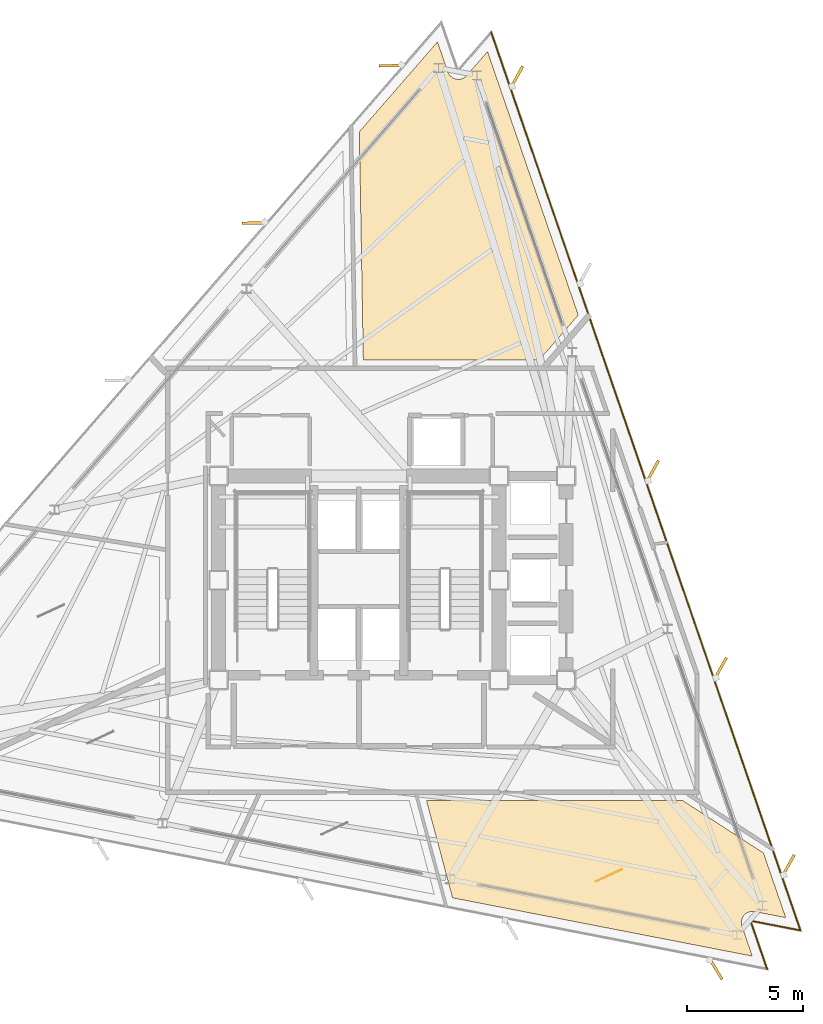
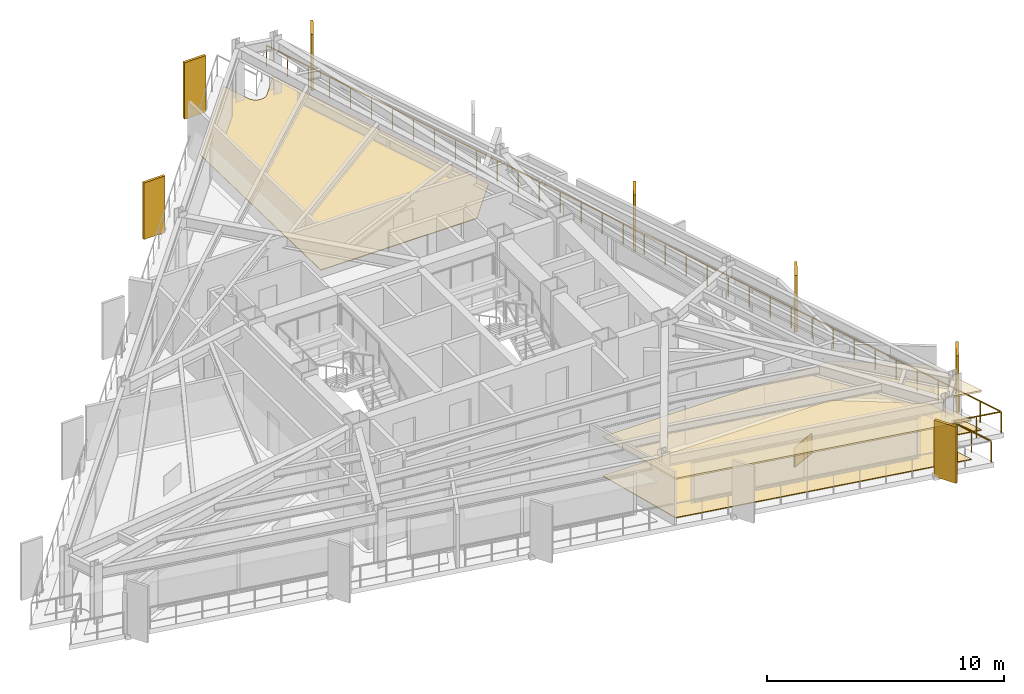
# One storey, part 13 of 13: 7 shading devices, 4 coverings, 1 railing.
"""IFC4 building model written with IfcOpenShell, lengths in metres."""

import ifcopenshell
import ifcopenshell.guid

model = None  # the IFC model being written
_history = None  # IfcOwnerHistory: only IFC2X3 demands one
_inside = {}  # id of a spatial element -> (the spatial element, [elements in it])
_under = {}  # id of a project, library or spatial element -> (it, [spatial elements below it])
_declared = {}  # id of a project -> (the project, [libraries it declares])
_typed = {}  # id of a type object -> (the type object, [elements of that type])
_made_of = {}  # id of a material, layer set ... -> (it, [elements and type objects made of it])


def new_model(schema):
    """Start an empty IFC model of exactly this schema.

    Asked for "IFC4X3", IfcOpenShell would pick the latest addendum, in which some entities
    have other attributes; the version numbers below select the first issue.
    IFC2X3 requires an IfcOwnerHistory on every rooted entity: one is made here for all.
    """
    global model, _history
    if schema == "IFC4X3":
        model = ifcopenshell.file(schema_version=(4, 3, 0, 0))
    else:
        model = ifcopenshell.file(schema=schema)
    _inside.clear()
    _under.clear()
    _declared.clear()
    _typed.clear()
    _made_of.clear()
    _history = None
    if model.schema == "IFC2X3":
        org = make("IfcOrganization", Name="unknown")
        user = make(
            "IfcPersonAndOrganization",
            ThePerson=make("IfcPerson", FamilyName="unknown"),
            TheOrganization=org,
        )
        app = make(
            "IfcApplication",
            ApplicationDeveloper=org,
            Version="unknown",
            ApplicationFullName="unknown",
            ApplicationIdentifier="unknown",
        )
        _history = make(
            "IfcOwnerHistory",
            OwningUser=user,
            OwningApplication=app,
            ChangeAction="ADDED",
            CreationDate=0,
        )
    return model


def make(cls, **values):
    """One entity of the class cls with the attributes given. An attribute that is None is left unset."""
    return model.create_entity(
        cls, **{name: value for name, value in values.items() if value is not None}
    )


def rooted(cls, **values):
    """An entity with a GlobalId (a new one), such as an element, a storey or a relation."""
    return make(cls, GlobalId=ifcopenshell.guid.new(), OwnerHistory=_history, **values)


def si_unit(unit_type, name, prefix=None):
    """IfcSIUnit, for example si_unit("LENGTHUNIT", "METRE", prefix="MILLI")."""
    return make("IfcSIUnit", UnitType=unit_type, Prefix=prefix, Name=name)


def assignment(units):
    """IfcUnitAssignment: the units of a project."""
    return None if units is None else make("IfcUnitAssignment", Units=units)


def point(xyz):
    """IfcCartesianPoint."""
    return None if xyz is None else make("IfcCartesianPoint", Coordinates=xyz)


def direction(xyz):
    """IfcDirection."""
    return None if xyz is None else make("IfcDirection", DirectionRatios=xyz)


def frame(location, z_axis=None, x_axis=None):
    """IfcAxis2Placement3D, a coordinate frame: its origin and axes. An axis left out is left unset."""
    return make(
        "IfcAxis2Placement3D",
        Location=point(location),
        Axis=direction(z_axis),
        RefDirection=direction(x_axis),
    )


def frame_2d(location, x_axis=None):
    """IfcAxis2Placement2D, a coordinate frame in the plane: its origin and x axis."""
    return make(
        "IfcAxis2Placement2D", Location=point(location), RefDirection=direction(x_axis)
    )


def origin():
    """The frame at (0, 0, 0) with its axes left unset."""
    return frame((0.0, 0.0, 0.0))


def origin_2d():
    """The frame at (0, 0) in the plane with its x axis left unset."""
    return frame_2d((0.0, 0.0))


def place(relative_to, where):
    """IfcLocalPlacement: puts the frame where relative to a parent placement (None: the world)."""
    return make(
        "IfcLocalPlacement", PlacementRelTo=relative_to, RelativePlacement=where
    )


def context(
    kind, dimensions, precision=None, world=None, true_north=None, identifier=None
):
    """IfcGeometricRepresentationContext, for example the 3D "Model" context."""
    return make(
        "IfcGeometricRepresentationContext",
        ContextIdentifier=identifier,
        ContextType=kind,
        CoordinateSpaceDimension=dimensions,
        Precision=precision,
        WorldCoordinateSystem=world,
        TrueNorth=true_north,
    )


def subcontext(parent, identifier, kind, view, scale=None):
    """IfcGeometricRepresentationSubContext, for example "Body" below "Model"."""
    return make(
        "IfcGeometricRepresentationSubContext",
        ContextIdentifier=identifier,
        ContextType=kind,
        ParentContext=parent,
        TargetScale=scale,
        TargetView=view,
    )


def project(units=None, contexts=None):
    """IfcProject with its units and contexts."""
    return rooted(
        "IfcProject",
        Name="project",
        RepresentationContexts=contexts,
        UnitsInContext=assignment(units),
    )


def spatial(cls, under=None, at=None, **own):
    """A site, building, storey or space (cls), placed at a placement, below another one or the project."""
    s = rooted(cls, ObjectPlacement=at, **own)
    if under is not None:
        _under.setdefault(under.id(), (under, []))[1].append(s)
    return s


def polyline(points):
    """IfcPolyline through the points."""
    return make("IfcPolyline", Points=[point(p) for p in points])


def profile(cls, at=None, kind="AREA", **sizes):
    """A parametric profile (cls). Its sizes go by their IFC names, for example OverallWidth=200.0."""
    return make(cls, ProfileType=kind, Position=at, **sizes)


def rectangle(**sizes):
    """IfcRectangleProfileDef."""
    return profile("IfcRectangleProfileDef", **sizes)


def outline(outer, holes=None, kind="AREA"):
    """IfcArbitraryClosedProfileDef: a profile drawn as a closed curve; with holes, ...WithVoids."""
    if holes is None:
        return make("IfcArbitraryClosedProfileDef", ProfileType=kind, OuterCurve=outer)
    return make(
        "IfcArbitraryProfileDefWithVoids",
        ProfileType=kind,
        OuterCurve=outer,
        InnerCurves=holes,
    )


def extrude(swept, where, along, depth):
    """IfcExtrudedAreaSolid: the profile swept, set in the frame where, extruded along a direction by depth."""
    return make(
        "IfcExtrudedAreaSolid",
        SweptArea=swept,
        Position=where,
        ExtrudedDirection=direction(along),
        Depth=depth,
    )


def shape(context_of_items, identifier, shape_type, items):
    """IfcShapeRepresentation: the items that make up one representation, for example the "Body"."""
    return make(
        "IfcShapeRepresentation",
        ContextOfItems=context_of_items,
        RepresentationIdentifier=identifier,
        RepresentationType=shape_type,
        Items=items,
    )


def material(Name=None, Category=None):
    """IfcMaterial."""
    return make("IfcMaterial", Name=Name, Category=Category)


def layer(
    of_material, thickness, ventilated=None, Name=None, Category=None, Priority=None
):
    """IfcMaterialLayer: one layer of a wall or slab, of a material (None: an air gap)."""
    return make(
        "IfcMaterialLayer",
        Material=of_material,
        LayerThickness=thickness,
        IsVentilated=ventilated,
        Name=Name,
        Category=Category,
        Priority=Priority,
    )


def layer_set(layers, Name=None):
    """IfcMaterialLayerSet."""
    return make("IfcMaterialLayerSet", MaterialLayers=layers, LayerSetName=Name)


def made_of(thing, what):
    """Note that an element or type object is made of a material, layer set ...; save() writes the relation."""
    if what is not None:
        _made_of.setdefault(what.id(), (what, []))[1].append(thing)
    return thing


def type_object(cls, material=None, **own):
    """A type object (cls), such as IfcWallType, which elements share."""
    return made_of(rooted(cls, **own), material)


def element(
    cls,
    number,
    at=None,
    inside=None,
    cuts=None,
    type_object=None,
    material=None,
    context=None,
    identifier="Body",
    shape_type=None,
    held_by="IfcProductDefinitionShape",
    body=None,
    shapes=None,
    **own,
):
    """One element of the class cls, such as IfcWall. Its Tag is "e" and its number.

    at: its placement. inside: the storey or other place that contains it. cuts: it is an
    opening in that element (IfcRelVoidsElement). A single representation is given by context,
    identifier, shape_type and body (its items); several are given by shapes. held_by: the class
    of the entity that holds the representations. save() writes the other relations.
    """
    e = rooted(cls, Tag="e%d" % number, ObjectPlacement=at, **own)
    if body is not None:
        shapes = [shape(context, identifier, shape_type, body)]
    if shapes is not None:
        e.Representation = make(held_by, Representations=shapes)
    if inside is not None:
        _inside.setdefault(inside.id(), (inside, []))[1].append(e)
    if cuts is not None:
        rooted(
            "IfcRelVoidsElement", RelatingBuildingElement=cuts, RelatedOpeningElement=e
        )
    if type_object is not None:
        _typed.setdefault(type_object.id(), (type_object, []))[1].append(e)
    return made_of(e, material)


def aggregate(whole, parts):
    """IfcRelAggregates: a whole, such as a stair, and the parts it consists of."""
    return rooted("IfcRelAggregates", RelatingObject=whole, RelatedObjects=parts)


def save(model, path):
    """Write the relations noted so far, then the file.

    IfcRelAggregates (storeys below a building ...), IfcRelContainedInSpatialStructure (elements
    in a storey), IfcRelDefinesByType, IfcRelAssociatesMaterial and IfcRelDeclares: one each for
    every whole, place, type object, material and project.
    """
    for whole, parts in _under.values():
        aggregate(whole, parts)
    for where, things in _inside.values():
        rooted(
            "IfcRelContainedInSpatialStructure",
            RelatedElements=things,
            RelatingStructure=where,
        )
    for kind, things in _typed.values():
        rooted("IfcRelDefinesByType", RelatedObjects=things, RelatingType=kind)
    for what, things in _made_of.values():
        rooted("IfcRelAssociatesMaterial", RelatedObjects=things, RelatingMaterial=what)
    for by, libraries in _declared.values():
        rooted("IfcRelDeclares", RelatingContext=by, RelatedDefinitions=libraries)
    model.write(path)


model = new_model("IFC4")

# Units and contexts
model_context = context("Model", 3, precision=1e-05, world=origin(), true_north=direction((0.0, 1.0)))
body_context = subcontext(model_context, "Body", "Model", "MODEL_VIEW")
ifc_project = project(units=[si_unit("LENGTHUNIT", "METRE"), si_unit("AREAUNIT", "SQUARE_METRE"), si_unit("VOLUMEUNIT", "CUBIC_METRE"), si_unit("PLANEANGLEUNIT", "RADIAN"), si_unit("MASSUNIT", "GRAM", prefix="KILO")], contexts=[model_context])

# Site, building, storey
site_placement = place(None, origin())
site = spatial("IfcSite", under=ifc_project, at=site_placement, CompositionType="ELEMENT")
building_placement = place(site_placement, origin())
building = spatial("IfcBuilding", under=site, at=building_placement, Name="Rocaltana Carrier Exchange", CompositionType="ELEMENT")
storey_placement = place(building_placement, frame((0.0, 0.0, 159.360107421875)))
storey = spatial("IfcBuildingStorey", under=building, at=storey_placement, Name="L50", CompositionType="ELEMENT", Elevation=159.360107421875)

# Coverings
ifc_material_1 = material(Name="Honed Bogota Sandstone Tile", Category="masonry")
ifc_layer_1 = layer(ifc_material_1, 0.0400390625)
ifc_layer_set_1 = layer_set([ifc_layer_1], Name="Honed Bogota Sandstone Tile")
covering_type_1 = type_object("IfcCoveringType", Name="Honed Stone Lobby Flooring 40", PredefinedType="FLOORING", material=ifc_layer_set_1)
covering_1_placement = place(storey_placement, origin())
element("IfcCovering", 1, at=covering_1_placement, inside=storey, type_object=covering_type_1, Name="L50 Optical Switching Laboratory Finish Floor", PredefinedType="FLOORING", context=body_context, shape_type="SweptSolid", body=[
    extrude(outline(polyline([(18.4287109375, -14.562255859375), (17.085205078125, -14.301025390625), (17.0712890625, -14.298828125), (17.051513671875, -14.2958984375), (17.023681640625, -14.29345703125), (17.00390625, -14.29248046875), (16.975830078125, -14.292724609375), (16.9560546875, -14.2939453125), (16.92822265625, -14.296875), (16.90869140625, -14.300048828125), (16.88134765625, -14.305908203125), (16.862060546875, -14.310791015625), (16.83544921875, -14.319091796875), (16.816650390625, -14.326171875), (16.791015625, -14.337158203125), (16.773193359375, -14.345947265625), (16.748779296875, -14.359619140625), (16.731689453125, -14.3701171875), (16.708984375, -14.385986328125), (16.693115234375, -14.398193359375), (16.671875, -14.416259765625), (16.6572265625, -14.429931640625), (16.637939453125, -14.449951171875), (16.625, -14.465087890625), (16.607666015625, -14.487060546875), (16.59619140625, -14.50341796875), (16.581298828125, -14.52685546875), (16.5712890625, -14.544189453125), (16.558837890625, -14.569091796875), (16.55078125, -14.58740234375), (16.540771484375, -14.613525390625), (16.534423828125, -14.63232421875), (16.527099609375, -14.6591796875), (16.522705078125, -14.6787109375), (16.518310546875, -14.706298828125), (16.515869140625, -14.72607421875), (16.513916015625, -14.75390625), (16.513671875, -14.77392578125), (16.5146484375, -14.8017578125), (16.51611328125, -14.82177734375), (16.52001953125, -14.849365234375), (16.5234375, -14.868896484375), (16.52978515625, -14.89599609375), (16.535400390625, -14.915283203125), (16.539794921875, -14.9287109375), (16.9853515625, -16.22265625), (4.045654296875, -13.70751953125), (2.9208984375, -9.510009765625), (13.983154296875, -9.510009765625), (17.46826171875, -11.773193359375), (18.4287109375, -14.562255859375)])), origin(), (0.0, 0.0, 1.0), 0.039794921875),
])
covering_2_placement = place(storey_placement, origin())
element("IfcCovering", 2, at=covering_2_placement, inside=storey, type_object=covering_type_1, Name="L50 Incident Briefing Room Finish Floor", PredefinedType="FLOORING", context=body_context, shape_type="SweptSolid", body=[
    extrude(outline(polyline([(3.39697265625, 23.24072265625), (3.842529296875, 21.94677734375), (3.847412109375, 21.93359375), (3.85498046875, 21.9150390625), (3.866455078125, 21.889892578125), (3.875732421875, 21.8720703125), (3.889892578125, 21.847900390625), (3.90087890625, 21.831298828125), (3.917236328125, 21.808837890625), (3.9296875, 21.793212890625), (3.948486328125, 21.7724609375), (3.96240234375, 21.75830078125), (3.983154296875, 21.739501953125), (3.99853515625, 21.726806640625), (4.020751953125, 21.710205078125), (4.037353515625, 21.698974609375), (4.061279296875, 21.684814453125), (4.078857421875, 21.67529296875), (4.104248046875, 21.663330078125), (4.12255859375, 21.65576171875), (4.14892578125, 21.646484375), (4.16796875, 21.640625), (4.195068359375, 21.634033203125), (4.214599609375, 21.630126953125), (4.2421875, 21.626220703125), (4.26220703125, 21.62451171875), (4.2900390625, 21.623291015625), (4.31005859375, 21.623291015625), (4.337890625, 21.625), (4.357666015625, 21.627197265625), (4.38525390625, 21.63134765625), (4.40478515625, 21.635498046875), (4.431640625, 21.642578125), (4.45068359375, 21.648681640625), (4.476806640625, 21.658447265625), (4.4951171875, 21.666259765625), (4.520263671875, 21.6787109375), (4.53759765625, 21.688232421875), (4.561279296875, 21.702880859375), (4.577880859375, 21.71435546875), (4.599853515625, 21.731201171875), (4.614990234375, 21.744384765625), (4.635498046875, 21.763427734375), (4.649169921875, 21.77783203125), (4.65869140625, 21.7880859375), (5.556396484375, 22.82080078125), (9.47314453125, 11.4462890625), (7.789794921875, 9.510009765625), (0.194091796875, 9.510009765625), (0.022216796875, 19.3583984375), (3.39697265625, 23.24072265625)])), origin(), (0.0, 0.0, 1.0), 0.039794921875),
])
ifc_material_2 = material(Name="Anodised Aluminium 6063-T6", Category="aluminium")
ifc_layer_2 = layer(ifc_material_2, 0.0849609375)
ifc_layer_set_2 = layer_set([ifc_layer_2], Name="Anodised Aluminium 6063-T6")
covering_type_2 = type_object("IfcCoveringType", Name="Linear Baffle Acoustic Ceiling 85", PredefinedType="CEILING", material=ifc_layer_set_2)
covering_3_placement = place(storey_placement, frame((0.0, 0.0, 1.972900390625)))
element("IfcCovering", 3, at=covering_3_placement, inside=storey, type_object=covering_type_2, Name="L50 Optical Switching Laboratory Acoustic Ceiling", PredefinedType="CEILING", context=body_context, shape_type="SweptSolid", body=[
    extrude(outline(polyline([(18.4287109375, -14.562255859375), (17.085205078125, -14.301025390625), (17.0712890625, -14.298828125), (17.051513671875, -14.2958984375), (17.023681640625, -14.29345703125), (17.00390625, -14.29248046875), (16.975830078125, -14.292724609375), (16.9560546875, -14.2939453125), (16.92822265625, -14.296875), (16.90869140625, -14.300048828125), (16.88134765625, -14.305908203125), (16.862060546875, -14.310791015625), (16.83544921875, -14.319091796875), (16.816650390625, -14.326171875), (16.791015625, -14.337158203125), (16.773193359375, -14.345947265625), (16.748779296875, -14.359619140625), (16.731689453125, -14.3701171875), (16.708984375, -14.385986328125), (16.693115234375, -14.398193359375), (16.671875, -14.416259765625), (16.6572265625, -14.429931640625), (16.637939453125, -14.449951171875), (16.625, -14.465087890625), (16.607666015625, -14.487060546875), (16.59619140625, -14.50341796875), (16.581298828125, -14.52685546875), (16.5712890625, -14.544189453125), (16.558837890625, -14.569091796875), (16.55078125, -14.58740234375), (16.540771484375, -14.613525390625), (16.534423828125, -14.63232421875), (16.527099609375, -14.6591796875), (16.522705078125, -14.6787109375), (16.518310546875, -14.706298828125), (16.515869140625, -14.72607421875), (16.513916015625, -14.75390625), (16.513671875, -14.77392578125), (16.5146484375, -14.8017578125), (16.51611328125, -14.82177734375), (16.52001953125, -14.849365234375), (16.5234375, -14.868896484375), (16.52978515625, -14.89599609375), (16.535400390625, -14.915283203125), (16.539794921875, -14.9287109375), (16.9853515625, -16.22265625), (4.045654296875, -13.70751953125), (2.9208984375, -9.510009765625), (13.983154296875, -9.510009765625), (17.46826171875, -11.773193359375), (18.4287109375, -14.562255859375)])), origin(), (0.0, 0.0, 1.0), 0.0849609375),
])
ifc_material_3 = material(Name="Honed Piedra Muneca Sandstone", Category="masonry")
ifc_layer_3 = layer(ifc_material_3, 0.034912109375)
ifc_layer_set_3 = layer_set([ifc_layer_3], Name="Honed Piedra Muneca Sandstone")
covering_type_3 = type_object("IfcCoveringType", Name="Stone Facade Cladding 35", PredefinedType="CLADDING", material=ifc_layer_set_3)
covering_4_placement = place(storey_placement, frame((10.7939453125, -12.740234375, 0.0), z_axis=(0.0, 0.0, 1.0), x_axis=(0.906307787037, 0.422618261741, 0.0)))
element("IfcCovering", 4, at=covering_4_placement, inside=storey, type_object=covering_type_3, Name="L50 Stone Facade Cladding Panel 4", PredefinedType="CLADDING", context=body_context, shape_type="SweptSolid", body=[
    extrude(rectangle(XDim=1.25, YDim=0.034912109375, at=origin_2d()), origin(), (0.0, 0.0, 1.0), 1.050048828125),
])

# Shading devices
ifc_material_4 = material(Name="Honed Bogota Sandstone & Concrete C45/55", Category="masonry")
ifc_layer_4 = layer(ifc_material_4, 0.1201171875)
ifc_layer_set_4 = layer_set([ifc_layer_4], Name="Honed Bogota Sandstone & Concrete C45/55")
shading_device_type = type_object("IfcShadingDeviceType", Name="Upper Sandstone Shading Fin 1050x120", PredefinedType="USERDEFINED", material=ifc_layer_set_4)
for number, where, z_axis, x_axis, name in (
    (5, (18.541748046875, -12.3095703125, -0.1201171875), (0.0, 0.0, 1.0), (0.484809620246, 0.874619707139, 0.0), "L50 Sandstone Vertical Fin F1-01"),
    (6, (15.61181640625, -3.7998046875, -0.1201171875), (0.0, 0.0, 1.0), (0.484809620246, 0.874619707139, 0.0), "L50 Sandstone Vertical Fin F1-02"),
    (7, (12.681396484375, 4.709716796875, -0.1201171875), (0.0, 0.0, 1.0), (0.484809620246, 0.874619707139, 0.0), "L50 Sandstone Vertical Fin F1-03"),
    (8, (6.8212890625, 21.729248046875, -0.1201171875), (0.0, 0.0, 1.0), (0.484809620246, 0.874619707139, 0.0), "L50 Sandstone Vertical Fin F1-05"),
    (9, (1.389404296875, 22.21240234375, -0.1201171875), (0.0, 0.0, 1.0), (-0.999847695156, -0.017452406437, 0.0), "L50 Sandstone Vertical Fin F2-01"),
    (10, (-4.51513671875, 15.419921875, -0.1201171875), (0.0, 0.0, 1.0), (-0.999847695156, -0.017452406437, 0.0), "L50 Sandstone Vertical Fin F2-02"),
    (11, (15.407470703125, -16.77197265625, -0.1201171875), (0.0, 0.0, 1.0), (0.51503807491, -0.857167300702, 0.0), "L50 Sandstone Vertical Fin F3-05"),
):
    element("IfcShadingDevice", number, at=place(storey_placement, frame(where, z_axis=z_axis, x_axis=x_axis)), inside=storey, type_object=shading_device_type, Name=name, ObjectType="FIN", PredefinedType="USERDEFINED", context=body_context, shape_type="SweptSolid", body=[
        extrude(rectangle(XDim=1.050048828125, YDim=0.1201171875, at=origin_2d()), origin(), (0.0, 0.0, 1.0), 2.907958984375),
    ])

# Railing
ifc_material_5 = material(Name="Powder-Coated Aluminium 6063-T6", Category="aluminium")
ifc_layer_5 = layer(ifc_material_5, 0.06005859375)
ifc_layer_set_5 = layer_set([ifc_layer_5], Name="Powder-Coated Aluminium 6063-T6")
railing_type = type_object("IfcRailingType", Name="Wind-Floor & Terrace Perimeter Guardrail 1100", PredefinedType="GUARDRAIL", material=ifc_layer_set_5)
railing_placement = place(storey_placement, frame((5.716796875, 23.6455078125, 0.0)))
element("IfcRailing", 12, at=railing_placement, inside=storey, type_object=railing_type, Name="L50 Perimeter Balcony Guardrail 3", PredefinedType="GUARDRAIL", context=body_context, shape_type="SweptSolid", body=[
    extrude(rectangle(XDim=0.048095703125, YDim=0.048095703125, at=origin_2d()), frame((0.0, 0.0, 1.076171875), z_axis=(0.325567757379, -0.945518712324, 0.0), x_axis=(0.945518712324, 0.325567757379, 0.0)), (0.0, 0.0, 1.0), 40.9921875),
    extrude(rectangle(XDim=0.048095703125, YDim=0.048095703125, at=origin_2d()), frame((13.345703125, -38.7587890625, 1.076171875), z_axis=(-0.981637329589, 0.190756790591, 0.0), x_axis=(-0.190756790591, -0.981637329589, 0.0)), (0.0, 0.0, 1.0), 2.199951171875),
    extrude(rectangle(XDim=0.048095703125, YDim=0.048095703125, at=origin_2d()), frame((11.18603515625, -38.339111328125, 1.076171875), z_axis=(0.325600768791, -0.945507344955, 0.0), x_axis=(0.945507344955, 0.325600768791, 0.0)), (0.0, 0.0, 1.0), 2.199951171875),
    extrude(rectangle(XDim=0.0419921875, YDim=0.0419921875, at=origin_2d()), origin(), (0.0, 0.0, 1.0), 1.052001953125),
    extrude(rectangle(XDim=0.0419921875, YDim=0.0419921875, at=origin_2d()), frame((0.38134765625, -1.107421875, 0.0)), (0.0, 0.0, 1.0), 1.052001953125),
    extrude(rectangle(XDim=0.0419921875, YDim=0.0419921875, at=origin_2d()), frame((0.7626953125, -2.21484375, 0.0)), (0.0, 0.0, 1.0), 1.052001953125),
    extrude(rectangle(XDim=0.0419921875, YDim=0.0419921875, at=origin_2d()), frame((1.143798828125, -3.322265625, 0.0)), (0.0, 0.0, 1.0), 1.052001953125),
    extrude(rectangle(XDim=0.0419921875, YDim=0.0419921875, at=origin_2d()), frame((1.525146484375, -4.4296875, 0.0)), (0.0, 0.0, 1.0), 1.052001953125),
    extrude(rectangle(XDim=0.0419921875, YDim=0.0419921875, at=origin_2d()), frame((1.906494140625, -5.536865234375, 0.0)), (0.0, 0.0, 1.0), 1.052001953125),
    extrude(rectangle(XDim=0.0419921875, YDim=0.0419921875, at=origin_2d()), frame((2.287841796875, -6.644287109375, 0.0)), (0.0, 0.0, 1.0), 1.052001953125),
    extrude(rectangle(XDim=0.0419921875, YDim=0.0419921875, at=origin_2d()), frame((2.669189453125, -7.751708984375, 0.0)), (0.0, 0.0, 1.0), 1.052001953125),
    extrude(rectangle(XDim=0.0419921875, YDim=0.0419921875, at=origin_2d()), frame((3.050537109375, -8.859130859375, 0.0)), (0.0, 0.0, 1.0), 1.052001953125),
    extrude(rectangle(XDim=0.0419921875, YDim=0.0419921875, at=origin_2d()), frame((3.431640625, -9.966552734375, 0.0)), (0.0, 0.0, 1.0), 1.052001953125),
    extrude(rectangle(XDim=0.0419921875, YDim=0.0419921875, at=origin_2d()), frame((3.81298828125, -11.073974609375, 0.0)), (0.0, 0.0, 1.0), 1.052001953125),
    extrude(rectangle(XDim=0.0419921875, YDim=0.0419921875, at=origin_2d()), frame((4.1943359375, -12.181396484375, 0.0)), (0.0, 0.0, 1.0), 1.052001953125),
    extrude(rectangle(XDim=0.0419921875, YDim=0.0419921875, at=origin_2d()), frame((4.57568359375, -13.288818359375, 0.0)), (0.0, 0.0, 1.0), 1.052001953125),
    extrude(rectangle(XDim=0.0419921875, YDim=0.0419921875, at=origin_2d()), frame((4.95703125, -14.396240234375, 0.0)), (0.0, 0.0, 1.0), 1.052001953125),
    extrude(rectangle(XDim=0.0419921875, YDim=0.0419921875, at=origin_2d()), frame((5.33837890625, -15.50341796875, 0.0)), (0.0, 0.0, 1.0), 1.052001953125),
    extrude(rectangle(XDim=0.0419921875, YDim=0.0419921875, at=origin_2d()), frame((5.719482421875, -16.61083984375, 0.0)), (0.0, 0.0, 1.0), 1.052001953125),
    extrude(rectangle(XDim=0.0419921875, YDim=0.0419921875, at=origin_2d()), frame((6.100830078125, -17.71826171875, 0.0)), (0.0, 0.0, 1.0), 1.052001953125),
    extrude(rectangle(XDim=0.0419921875, YDim=0.0419921875, at=origin_2d()), frame((6.482177734375, -18.82568359375, 0.0)), (0.0, 0.0, 1.0), 1.052001953125),
    extrude(rectangle(XDim=0.0419921875, YDim=0.0419921875, at=origin_2d()), frame((6.863525390625, -19.93310546875, 0.0)), (0.0, 0.0, 1.0), 1.052001953125),
    extrude(rectangle(XDim=0.0419921875, YDim=0.0419921875, at=origin_2d()), frame((7.244873046875, -21.04052734375, 0.0)), (0.0, 0.0, 1.0), 1.052001953125),
    extrude(rectangle(XDim=0.0419921875, YDim=0.0419921875, at=origin_2d()), frame((7.626220703125, -22.14794921875, 0.0)), (0.0, 0.0, 1.0), 1.052001953125),
    extrude(rectangle(XDim=0.0419921875, YDim=0.0419921875, at=origin_2d()), frame((8.00732421875, -23.25537109375, 0.0)), (0.0, 0.0, 1.0), 1.052001953125),
    extrude(rectangle(XDim=0.0419921875, YDim=0.0419921875, at=origin_2d()), frame((8.388671875, -24.362548828125, 0.0)), (0.0, 0.0, 1.0), 1.052001953125),
    extrude(rectangle(XDim=0.0419921875, YDim=0.0419921875, at=origin_2d()), frame((8.77001953125, -25.469970703125, 0.0)), (0.0, 0.0, 1.0), 1.052001953125),
    extrude(rectangle(XDim=0.0419921875, YDim=0.0419921875, at=origin_2d()), frame((9.1513671875, -26.577392578125, 0.0)), (0.0, 0.0, 1.0), 1.052001953125),
    extrude(rectangle(XDim=0.0419921875, YDim=0.0419921875, at=origin_2d()), frame((9.53271484375, -27.684814453125, 0.0)), (0.0, 0.0, 1.0), 1.052001953125),
    extrude(rectangle(XDim=0.0419921875, YDim=0.0419921875, at=origin_2d()), frame((9.9140625, -28.792236328125, 0.0)), (0.0, 0.0, 1.0), 1.052001953125),
    extrude(rectangle(XDim=0.0419921875, YDim=0.0419921875, at=origin_2d()), frame((10.295166015625, -29.899658203125, 0.0)), (0.0, 0.0, 1.0), 1.052001953125),
    extrude(rectangle(XDim=0.0419921875, YDim=0.0419921875, at=origin_2d()), frame((10.676513671875, -31.007080078125, 0.0)), (0.0, 0.0, 1.0), 1.052001953125),
    extrude(rectangle(XDim=0.0419921875, YDim=0.0419921875, at=origin_2d()), frame((11.057861328125, -32.114501953125, 0.0)), (0.0, 0.0, 1.0), 1.052001953125),
    extrude(rectangle(XDim=0.0419921875, YDim=0.0419921875, at=origin_2d()), frame((11.439208984375, -33.221923828125, 0.0)), (0.0, 0.0, 1.0), 1.052001953125),
    extrude(rectangle(XDim=0.0419921875, YDim=0.0419921875, at=origin_2d()), frame((11.820556640625, -34.3291015625, 0.0)), (0.0, 0.0, 1.0), 1.052001953125),
    extrude(rectangle(XDim=0.0419921875, YDim=0.0419921875, at=origin_2d()), frame((12.201904296875, -35.4365234375, 0.0)), (0.0, 0.0, 1.0), 1.052001953125),
    extrude(rectangle(XDim=0.0419921875, YDim=0.0419921875, at=origin_2d()), frame((12.5830078125, -36.5439453125, 0.0)), (0.0, 0.0, 1.0), 1.052001953125),
    extrude(rectangle(XDim=0.0419921875, YDim=0.0419921875, at=origin_2d()), frame((12.96435546875, -37.6513671875, 0.0)), (0.0, 0.0, 1.0), 1.052001953125),
    extrude(rectangle(XDim=0.0419921875, YDim=0.0419921875, at=origin_2d()), frame((13.345703125, -38.7587890625, 0.0)), (0.0, 0.0, 1.0), 1.052001953125),
    extrude(rectangle(XDim=0.0419921875, YDim=0.0419921875, at=origin_2d()), frame((12.265869140625, -38.548828125, 0.0)), (0.0, 0.0, 1.0), 1.052001953125),
    extrude(rectangle(XDim=0.0419921875, YDim=0.0419921875, at=origin_2d()), frame((11.18603515625, -38.339111328125, 0.0)), (0.0, 0.0, 1.0), 1.052001953125),
    extrude(rectangle(XDim=0.0419921875, YDim=0.0419921875, at=origin_2d()), frame((11.544189453125, -39.379150390625, 0.0)), (0.0, 0.0, 1.0), 1.052001953125),
    extrude(rectangle(XDim=0.0419921875, YDim=0.0419921875, at=origin_2d()), frame((11.90234375, -40.419189453125, 0.0)), (0.0, 0.0, 1.0), 1.052001953125),
])

save(model, "model.ifc")
